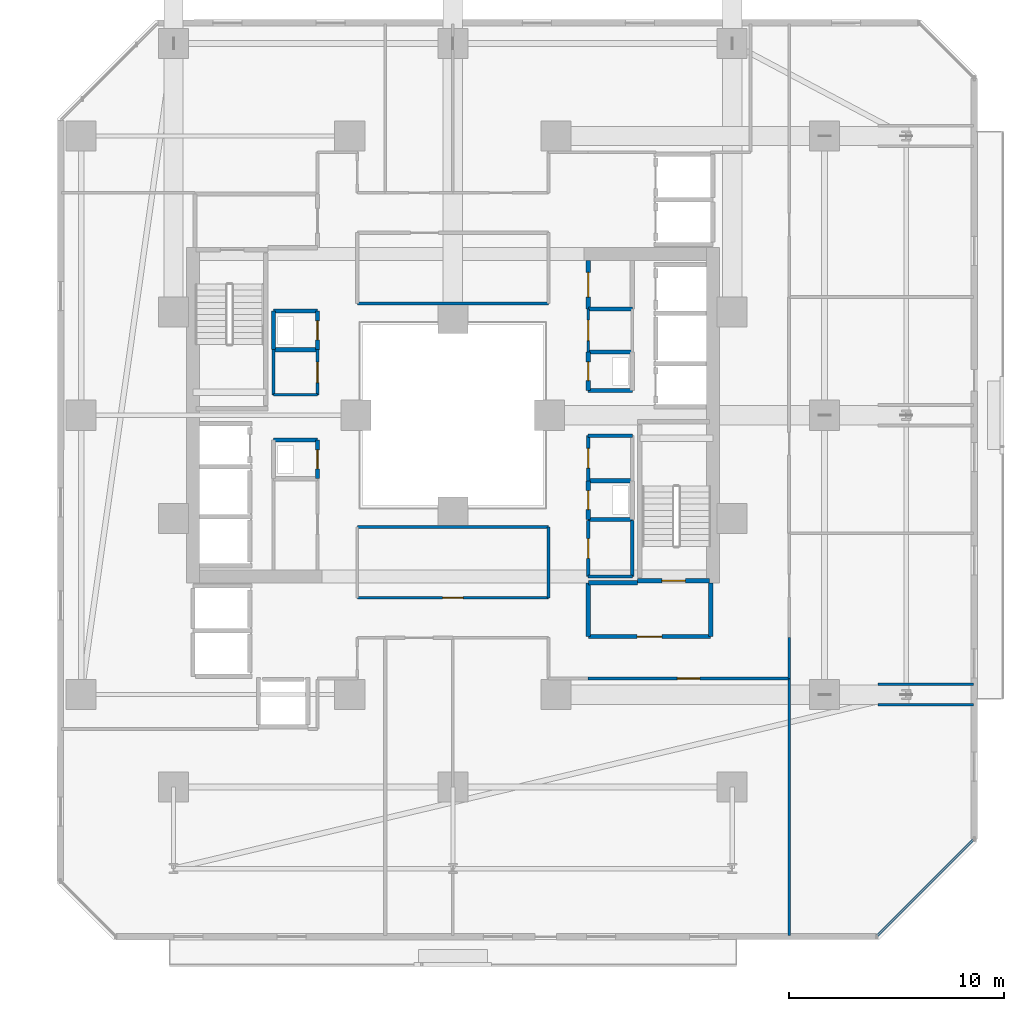
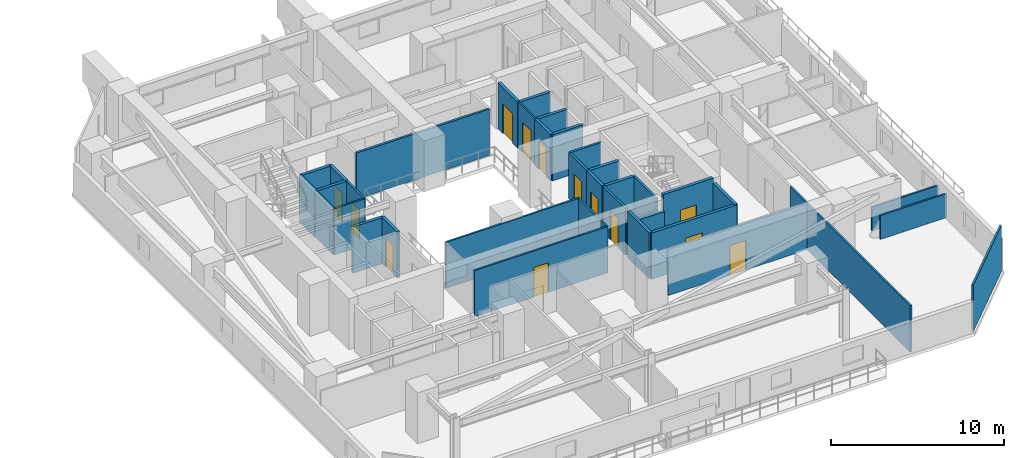
# One storey, part 26 of 36: 38 walls, 13 doors, 13 openings.
"""IFC4 building model written with IfcOpenShell, lengths in metres."""

import ifcopenshell
import ifcopenshell.guid

model = None  # the IFC model being written
_history = None  # IfcOwnerHistory: only IFC2X3 demands one
_inside = {}  # id of a spatial element -> (the spatial element, [elements in it])
_under = {}  # id of a project, library or spatial element -> (it, [spatial elements below it])
_declared = {}  # id of a project -> (the project, [libraries it declares])
_typed = {}  # id of a type object -> (the type object, [elements of that type])
_made_of = {}  # id of a material, layer set ... -> (it, [elements and type objects made of it])


def new_model(schema):
    """Start an empty IFC model of exactly this schema.

    Asked for "IFC4X3", IfcOpenShell would pick the latest addendum, in which some entities
    have other attributes; the version numbers below select the first issue.
    IFC2X3 requires an IfcOwnerHistory on every rooted entity: one is made here for all.
    """
    global model, _history
    if schema == "IFC4X3":
        model = ifcopenshell.file(schema_version=(4, 3, 0, 0))
    else:
        model = ifcopenshell.file(schema=schema)
    _inside.clear()
    _under.clear()
    _declared.clear()
    _typed.clear()
    _made_of.clear()
    _history = None
    if model.schema == "IFC2X3":
        org = make("IfcOrganization", Name="unknown")
        user = make(
            "IfcPersonAndOrganization",
            ThePerson=make("IfcPerson", FamilyName="unknown"),
            TheOrganization=org,
        )
        app = make(
            "IfcApplication",
            ApplicationDeveloper=org,
            Version="unknown",
            ApplicationFullName="unknown",
            ApplicationIdentifier="unknown",
        )
        _history = make(
            "IfcOwnerHistory",
            OwningUser=user,
            OwningApplication=app,
            ChangeAction="ADDED",
            CreationDate=0,
        )
    return model


def make(cls, **values):
    """One entity of the class cls with the attributes given. An attribute that is None is left unset."""
    return model.create_entity(
        cls, **{name: value for name, value in values.items() if value is not None}
    )


def rooted(cls, **values):
    """An entity with a GlobalId (a new one), such as an element, a storey or a relation."""
    return make(cls, GlobalId=ifcopenshell.guid.new(), OwnerHistory=_history, **values)


def si_unit(unit_type, name, prefix=None):
    """IfcSIUnit, for example si_unit("LENGTHUNIT", "METRE", prefix="MILLI")."""
    return make("IfcSIUnit", UnitType=unit_type, Prefix=prefix, Name=name)


def assignment(units):
    """IfcUnitAssignment: the units of a project."""
    return None if units is None else make("IfcUnitAssignment", Units=units)


def point(xyz):
    """IfcCartesianPoint."""
    return None if xyz is None else make("IfcCartesianPoint", Coordinates=xyz)


def direction(xyz):
    """IfcDirection."""
    return None if xyz is None else make("IfcDirection", DirectionRatios=xyz)


def frame(location, z_axis=None, x_axis=None):
    """IfcAxis2Placement3D, a coordinate frame: its origin and axes. An axis left out is left unset."""
    return make(
        "IfcAxis2Placement3D",
        Location=point(location),
        Axis=direction(z_axis),
        RefDirection=direction(x_axis),
    )


def frame_2d(location, x_axis=None):
    """IfcAxis2Placement2D, a coordinate frame in the plane: its origin and x axis."""
    return make(
        "IfcAxis2Placement2D", Location=point(location), RefDirection=direction(x_axis)
    )


def origin():
    """The frame at (0, 0, 0) with its axes left unset."""
    return frame((0.0, 0.0, 0.0))


def place(relative_to, where):
    """IfcLocalPlacement: puts the frame where relative to a parent placement (None: the world)."""
    return make(
        "IfcLocalPlacement", PlacementRelTo=relative_to, RelativePlacement=where
    )


def context(
    kind, dimensions, precision=None, world=None, true_north=None, identifier=None
):
    """IfcGeometricRepresentationContext, for example the 3D "Model" context."""
    return make(
        "IfcGeometricRepresentationContext",
        ContextIdentifier=identifier,
        ContextType=kind,
        CoordinateSpaceDimension=dimensions,
        Precision=precision,
        WorldCoordinateSystem=world,
        TrueNorth=true_north,
    )


def subcontext(parent, identifier, kind, view, scale=None):
    """IfcGeometricRepresentationSubContext, for example "Body" below "Model"."""
    return make(
        "IfcGeometricRepresentationSubContext",
        ContextIdentifier=identifier,
        ContextType=kind,
        ParentContext=parent,
        TargetScale=scale,
        TargetView=view,
    )


def project(units=None, contexts=None):
    """IfcProject with its units and contexts."""
    return rooted(
        "IfcProject",
        Name="project",
        RepresentationContexts=contexts,
        UnitsInContext=assignment(units),
    )


def spatial(cls, under=None, at=None, **own):
    """A site, building, storey or space (cls), placed at a placement, below another one or the project."""
    s = rooted(cls, ObjectPlacement=at, **own)
    if under is not None:
        _under.setdefault(under.id(), (under, []))[1].append(s)
    return s


def profile(cls, at=None, kind="AREA", **sizes):
    """A parametric profile (cls). Its sizes go by their IFC names, for example OverallWidth=200.0."""
    return make(cls, ProfileType=kind, Position=at, **sizes)


def rectangle(**sizes):
    """IfcRectangleProfileDef."""
    return profile("IfcRectangleProfileDef", **sizes)


def extrude(swept, where, along, depth):
    """IfcExtrudedAreaSolid: the profile swept, set in the frame where, extruded along a direction by depth."""
    return make(
        "IfcExtrudedAreaSolid",
        SweptArea=swept,
        Position=where,
        ExtrudedDirection=direction(along),
        Depth=depth,
    )


def shape(context_of_items, identifier, shape_type, items):
    """IfcShapeRepresentation: the items that make up one representation, for example the "Body"."""
    return make(
        "IfcShapeRepresentation",
        ContextOfItems=context_of_items,
        RepresentationIdentifier=identifier,
        RepresentationType=shape_type,
        Items=items,
    )


def material(Name=None, Category=None):
    """IfcMaterial."""
    return make("IfcMaterial", Name=Name, Category=Category)


def layer(
    of_material, thickness, ventilated=None, Name=None, Category=None, Priority=None
):
    """IfcMaterialLayer: one layer of a wall or slab, of a material (None: an air gap)."""
    return make(
        "IfcMaterialLayer",
        Material=of_material,
        LayerThickness=thickness,
        IsVentilated=ventilated,
        Name=Name,
        Category=Category,
        Priority=Priority,
    )


def layer_set(layers, Name=None):
    """IfcMaterialLayerSet."""
    return make("IfcMaterialLayerSet", MaterialLayers=layers, LayerSetName=Name)


def made_of(thing, what):
    """Note that an element or type object is made of a material, layer set ...; save() writes the relation."""
    if what is not None:
        _made_of.setdefault(what.id(), (what, []))[1].append(thing)
    return thing


def type_object(cls, material=None, **own):
    """A type object (cls), such as IfcWallType, which elements share."""
    return made_of(rooted(cls, **own), material)


def element(
    cls,
    number,
    at=None,
    inside=None,
    cuts=None,
    type_object=None,
    material=None,
    context=None,
    identifier="Body",
    shape_type=None,
    held_by="IfcProductDefinitionShape",
    body=None,
    shapes=None,
    **own,
):
    """One element of the class cls, such as IfcWall. Its Tag is "e" and its number.

    at: its placement. inside: the storey or other place that contains it. cuts: it is an
    opening in that element (IfcRelVoidsElement). A single representation is given by context,
    identifier, shape_type and body (its items); several are given by shapes. held_by: the class
    of the entity that holds the representations. save() writes the other relations.
    """
    e = rooted(cls, Tag="e%d" % number, ObjectPlacement=at, **own)
    if body is not None:
        shapes = [shape(context, identifier, shape_type, body)]
    if shapes is not None:
        e.Representation = make(held_by, Representations=shapes)
    if inside is not None:
        _inside.setdefault(inside.id(), (inside, []))[1].append(e)
    if cuts is not None:
        rooted(
            "IfcRelVoidsElement", RelatingBuildingElement=cuts, RelatedOpeningElement=e
        )
    if type_object is not None:
        _typed.setdefault(type_object.id(), (type_object, []))[1].append(e)
    return made_of(e, material)


def fill(opening, filler):
    """IfcRelFillsElement: the door or window that sits in an opening."""
    return rooted(
        "IfcRelFillsElement",
        RelatingOpeningElement=opening,
        RelatedBuildingElement=filler,
    )


def aggregate(whole, parts):
    """IfcRelAggregates: a whole, such as a stair, and the parts it consists of."""
    return rooted("IfcRelAggregates", RelatingObject=whole, RelatedObjects=parts)


def save(model, path):
    """Write the relations noted so far, then the file.

    IfcRelAggregates (storeys below a building ...), IfcRelContainedInSpatialStructure (elements
    in a storey), IfcRelDefinesByType, IfcRelAssociatesMaterial and IfcRelDeclares: one each for
    every whole, place, type object, material and project.
    """
    for whole, parts in _under.values():
        aggregate(whole, parts)
    for where, things in _inside.values():
        rooted(
            "IfcRelContainedInSpatialStructure",
            RelatedElements=things,
            RelatingStructure=where,
        )
    for kind, things in _typed.values():
        rooted("IfcRelDefinesByType", RelatedObjects=things, RelatingType=kind)
    for what, things in _made_of.values():
        rooted("IfcRelAssociatesMaterial", RelatedObjects=things, RelatingMaterial=what)
    for by, libraries in _declared.values():
        rooted("IfcRelDeclares", RelatingContext=by, RelatedDefinitions=libraries)
    model.write(path)


model = new_model("IFC4")

# Units and contexts
model_context = context("Model", 3, precision=1e-05, world=origin(), true_north=direction((0.0, 1.0)))
body_context = subcontext(model_context, "Body", "Model", "MODEL_VIEW")
ifc_project = project(units=[si_unit("LENGTHUNIT", "METRE"), si_unit("AREAUNIT", "SQUARE_METRE"), si_unit("VOLUMEUNIT", "CUBIC_METRE"), si_unit("PLANEANGLEUNIT", "RADIAN"), si_unit("MASSUNIT", "GRAM", prefix="KILO")], contexts=[model_context])

# Site, building, storey
site_placement = place(None, origin())
site = spatial("IfcSite", under=ifc_project, at=site_placement, CompositionType="ELEMENT")
building_placement = place(site_placement, origin())
building = spatial("IfcBuilding", under=site, at=building_placement, Name="Thornwick Lancets Civic Towers", CompositionType="ELEMENT")
storey_placement = place(building_placement, frame((0.0, 0.0, 45.89990234375)))
storey = spatial("IfcBuildingStorey", under=building, at=storey_placement, Name="L11", CompositionType="ELEMENT", Elevation=45.89990234375)

# Wall, opening, door
ifc_material_1 = material(Name="Concrete blockwork C40/50", Category="masonry")
ifc_layer_1 = layer(ifc_material_1, 0.199951171875, Name="Concrete blockwork C40/50")
ifc_layer_set_1 = layer_set([ifc_layer_1], Name="Concrete blockwork C40/50")
wall_type_1 = type_object("IfcWallType", Name="WALL_COMP_200", PredefinedType="STANDARD", material=ifc_layer_set_1)
wall_1_placement = place(storey_placement, frame((94.800048828125, 16.699951171875, 0.0), z_axis=(0.0, 0.0, 1.0), x_axis=(1.0, 0.0, 0.0)))
wall_1 = element("IfcWall", 1, at=wall_1_placement, inside=storey, type_object=wall_type_1, Name="L11 Partition L11-B-FFLOB1 E1", PredefinedType="STANDARD", context=body_context, shape_type="SweptSolid", body=[
    extrude(rectangle(XDim=5.699951171875, YDim=0.199951171875, at=frame_2d((2.85009765625, 0.0))), origin(), (0.0, 0.0, 1.0), 3.260009765625),
])
opening_1_placement = place(wall_1_placement, frame((2.27490234375, 0.0, 0.0)))
opening_1 = element("IfcOpeningElement", 2, at=opening_1_placement, cuts=wall_1, Name="Opening D-L11-0549", PredefinedType="OPENING", context=body_context, shape_type="SweptSolid", body=[
    extrude(rectangle(XDim=1.14990234375, YDim=2.10009765625, at=frame_2d((0.574951171875, 1.050048828125))), frame((0.0, 0.10986328125, 0.0), z_axis=(0.0, -1.0, 0.0), x_axis=(1.0, 0.0, 0.0)), (0.0, 0.0, 1.0), 0.219970703125),
])
ifc_material_2 = material(Name="Glazed fire-resisting steel", Category="steel")
door_type_1 = type_object("IfcDoorType", Name="DOOR_LOBBY_FD60", OperationType="NOTDEFINED", PredefinedType="DOOR", material=ifc_material_2)
door_1_placement = place(opening_1_placement, origin())
door_1 = element("IfcDoor", 3, at=door_1_placement, inside=storey, type_object=door_type_1, Name="L11 East Firefighting Lobby 1 Door", OperationType="SINGLE_SWING_RIGHT", OverallHeight=2.10009765625, OverallWidth=1.14990234375, PredefinedType="DOOR", context=body_context, shape_type="SweptSolid", body=[
    extrude(rectangle(XDim=1.14990234375, YDim=2.10009765625, at=frame_2d((0.574951171875, 1.050048828125))), frame((0.0, 0.02490234375, 0.0), z_axis=(0.0, -1.0, 0.0), x_axis=(1.0, 0.0, 0.0)), (0.0, 0.0, 1.0), 0.050048828125),
])
fill(opening_1, door_1)

# Walls
wall_2_placement = place(storey_placement, frame((100.5, 16.699951171875, 0.0), z_axis=(0.0, 0.0, 1.0), x_axis=(0.0, 1.0, 0.0)))
element("IfcWall", 4, at=wall_2_placement, inside=storey, type_object=wall_type_1, Name="L11 Partition L11-B-FFLOB1 E2", PredefinedType="STANDARD", context=body_context, shape_type="SweptSolid", body=[
    extrude(rectangle(XDim=2.5, YDim=0.199951171875, at=frame_2d((1.25, 0.0))), origin(), (0.0, 0.0, 1.0), 3.260009765625),
])
wall_3_placement = place(storey_placement, frame((97.10009765625, 19.199951171875, 0.0), z_axis=(0.0, 0.0, 1.0), x_axis=(-1.0, 0.0, 0.0)))
element("IfcWall", 5, at=wall_3_placement, inside=storey, type_object=wall_type_1, Name="L11 Partition L11-B-FFLOB1 E3", PredefinedType="STANDARD", context=body_context, shape_type="SweptSolid", body=[
    extrude(rectangle(XDim=2.300048828125, YDim=0.199951171875, at=frame_2d((1.14990234375, 0.0))), origin(), (0.0, 0.0, 1.0), 2.465087890625),
])
wall_4_placement = place(storey_placement, frame((94.800048828125, 19.199951171875, 0.0), z_axis=(0.0, 0.0, 1.0), x_axis=(0.0, -1.0, 0.0)))
element("IfcWall", 6, at=wall_4_placement, inside=storey, type_object=wall_type_1, Name="L11 Partition L11-B-FFLOB1 E4", PredefinedType="STANDARD", context=body_context, shape_type="SweptSolid", body=[
    extrude(rectangle(XDim=2.5, YDim=0.199951171875, at=frame_2d((1.25, 0.0))), origin(), (0.0, 0.0, 1.0), 3.260009765625),
])
for number, where, z_axis, x_axis, name in (
    (7, (94.800048828125, 28.14990234375, 0.0), (0.0, 0.0, 1.0), (1.0, 0.0, 0.0), "L11 Partition L11-B-DUCT1 E1"),
    (8, (96.85009765625, 29.949951171875, 0.0), (0.0, 0.0, 1.0), (-1.0, 0.0, 0.0), "L11 Partition L11-B-DUCT1 E3"),
):
    element("IfcWall", number, at=place(storey_placement, frame(where, z_axis=z_axis, x_axis=x_axis)), inside=storey, type_object=wall_type_1, Name=name, PredefinedType="STANDARD", context=body_context, shape_type="SweptSolid", body=[
        extrude(rectangle(XDim=2.050048828125, YDim=0.199951171875, at=frame_2d((1.02490234375, 0.0))), origin(), (0.0, 0.0, 1.0), 3.260009765625),
    ])

# Wall, opening, door
wall_5_placement = place(storey_placement, frame((94.800048828125, 29.949951171875, 0.0), z_axis=(0.0, 0.0, 1.0), x_axis=(0.0, -1.0, 0.0)))
wall_5 = element("IfcWall", 9, at=wall_5_placement, inside=storey, type_object=wall_type_1, Name="L11 Partition L11-B-DUCT1 E4", PredefinedType="STANDARD", context=body_context, shape_type="SweptSolid", body=[
    extrude(rectangle(XDim=1.800048828125, YDim=0.199951171875, at=frame_2d((0.89990234375, 0.0))), origin(), (0.0, 0.0, 1.0), 3.260009765625),
])
opening_2_placement = place(wall_5_placement, frame((0.4599609375, 0.0, 0.0)))
opening_2 = element("IfcOpeningElement", 10, at=opening_2_placement, cuts=wall_5, Name="Opening D-L11-0551", PredefinedType="OPENING", context=body_context, shape_type="SweptSolid", body=[
    extrude(rectangle(XDim=0.8798828125, YDim=2.0400390625, at=frame_2d((0.43994140625, 1.02001953125))), frame((0.0, 0.10986328125, 0.0), z_axis=(0.0, -1.0, 0.0), x_axis=(1.0, 0.0, 0.0)), (0.0, 0.0, 1.0), 0.219970703125),
])
ifc_material_3 = material(Name="Steel riser access doorset", Category="steel")
door_type_2 = type_object("IfcDoorType", Name="DOOR_RISER_850", OperationType="NOTDEFINED", PredefinedType="DOOR", material=ifc_material_3)
door_2_placement = place(opening_2_placement, origin())
door_2 = element("IfcDoor", 11, at=door_2_placement, inside=storey, type_object=door_type_2, Name="L11 East Service Duct 1 Door", OperationType="SINGLE_SWING_RIGHT", OverallHeight=2.0400390625, OverallWidth=0.8798828125, PredefinedType="DOOR", context=body_context, shape_type="SweptSolid", body=[
    extrude(rectangle(XDim=0.8798828125, YDim=2.0400390625, at=frame_2d((0.43994140625, 1.02001953125))), frame((0.0, 0.02490234375, 0.0), z_axis=(0.0, -1.0, 0.0), x_axis=(1.0, 0.0, 0.0)), (0.0, 0.0, 1.0), 0.050048828125),
])
fill(opening_2, door_2)

# Walls
for number, where, z_axis, x_axis, name in (
    (12, (94.800048828125, 22.14990234375, 0.0), (0.0, 0.0, 1.0), (1.0, 0.0, 0.0), "L11 Partition L11-B-RISER1 E1"),
    (13, (96.85009765625, 23.949951171875, 0.0), (0.0, 0.0, 1.0), (-1.0, 0.0, 0.0), "L11 Partition L11-B-RISER1 E3"),
):
    element("IfcWall", number, at=place(storey_placement, frame(where, z_axis=z_axis, x_axis=x_axis)), inside=storey, type_object=wall_type_1, Name=name, PredefinedType="STANDARD", context=body_context, shape_type="SweptSolid", body=[
        extrude(rectangle(XDim=2.050048828125, YDim=0.199951171875, at=frame_2d((1.02490234375, 0.0))), origin(), (0.0, 0.0, 1.0), 3.260009765625),
    ])

# Wall, opening, door
wall_6_placement = place(storey_placement, frame((94.800048828125, 23.949951171875, 0.0), z_axis=(0.0, 0.0, 1.0), x_axis=(0.0, -1.0, 0.0)))
wall_6 = element("IfcWall", 14, at=wall_6_placement, inside=storey, type_object=wall_type_1, Name="L11 Partition L11-B-RISER1 E4", PredefinedType="STANDARD", context=body_context, shape_type="SweptSolid", body=[
    extrude(rectangle(XDim=1.800048828125, YDim=0.199951171875, at=frame_2d((0.89990234375, 0.0))), origin(), (0.0, 0.0, 1.0), 3.260009765625),
])
opening_3_placement = place(wall_6_placement, frame((0.4599609375, 0.0, 0.0)))
opening_3 = element("IfcOpeningElement", 15, at=opening_3_placement, cuts=wall_6, Name="Opening D-L11-0552", PredefinedType="OPENING", context=body_context, shape_type="SweptSolid", body=[
    extrude(rectangle(XDim=0.8798828125, YDim=2.0400390625, at=frame_2d((0.43994140625, 1.02001953125))), frame((0.0, 0.10986328125, 0.0), z_axis=(0.0, -1.0, 0.0), x_axis=(1.0, 0.0, 0.0)), (0.0, 0.0, 1.0), 0.219970703125),
])
door_3_placement = place(opening_3_placement, origin())
door_3 = element("IfcDoor", 16, at=door_3_placement, inside=storey, type_object=door_type_2, Name="L11 East Electrical Riser 1 Door", OperationType="SINGLE_SWING_LEFT", OverallHeight=2.0400390625, OverallWidth=0.8798828125, PredefinedType="DOOR", context=body_context, shape_type="SweptSolid", body=[
    extrude(rectangle(XDim=0.8798828125, YDim=2.0400390625, at=frame_2d((0.43994140625, 1.02001953125))), frame((0.0, 0.02490234375, 0.0), z_axis=(0.0, -1.0, 0.0), x_axis=(1.0, 0.0, 0.0)), (0.0, 0.0, 1.0), 0.050048828125),
])
fill(opening_3, door_3)

wall_7_placement = place(storey_placement, frame((82.199951171875, 24.050048828125, 0.0), z_axis=(0.0, 0.0, 1.0), x_axis=(0.0, 1.0, 0.0)))
wall_7 = element("IfcWall", 17, at=wall_7_placement, inside=storey, type_object=wall_type_1, Name="L11 Partition L11-B-DUCT2 E2", PredefinedType="STANDARD", context=body_context, shape_type="SweptSolid", body=[
    extrude(rectangle(XDim=1.800048828125, YDim=0.199951171875, at=frame_2d((0.89990234375, 0.0))), origin(), (0.0, 0.0, 1.0), 3.260009765625),
])
opening_4_placement = place(wall_7_placement, frame((0.4599609375, 0.0, 0.0)))
opening_4 = element("IfcOpeningElement", 18, at=opening_4_placement, cuts=wall_7, Name="Opening D-L11-0553", PredefinedType="OPENING", context=body_context, shape_type="SweptSolid", body=[
    extrude(rectangle(XDim=0.8798828125, YDim=2.0400390625, at=frame_2d((0.43994140625, 1.02001953125))), frame((0.0, 0.10986328125, 0.0), z_axis=(0.0, -1.0, 0.0), x_axis=(1.0, 0.0, 0.0)), (0.0, 0.0, 1.0), 0.219970703125),
])
door_4_placement = place(opening_4_placement, origin())
door_4 = element("IfcDoor", 19, at=door_4_placement, inside=storey, type_object=door_type_2, Name="L11 West Service Duct 2 Door", OperationType="SINGLE_SWING_RIGHT", OverallHeight=2.0400390625, OverallWidth=0.8798828125, PredefinedType="DOOR", context=body_context, shape_type="SweptSolid", body=[
    extrude(rectangle(XDim=0.8798828125, YDim=2.0400390625, at=frame_2d((0.43994140625, 1.02001953125))), frame((0.0, 0.02490234375, 0.0), z_axis=(0.0, -1.0, 0.0), x_axis=(1.0, 0.0, 0.0)), (0.0, 0.0, 1.0), 0.050048828125),
])
fill(opening_4, door_4)

# Walls
for number, where, z_axis, x_axis, name in (
    (20, (82.199951171875, 25.85009765625, 0.0), (0.0, 0.0, 1.0), (-1.0, 0.0, 0.0), "L11 Partition L11-B-DUCT2 E3"),
    (21, (80.14990234375, 30.050048828125, 0.0), (0.0, 0.0, 1.0), (1.0, 0.0, 0.0), "L11 Partition L11-B-RISER2 E1"),
):
    element("IfcWall", number, at=place(storey_placement, frame(where, z_axis=z_axis, x_axis=x_axis)), inside=storey, type_object=wall_type_1, Name=name, PredefinedType="STANDARD", context=body_context, shape_type="SweptSolid", body=[
        extrude(rectangle(XDim=2.050048828125, YDim=0.199951171875, at=frame_2d((1.02490234375, 0.0))), origin(), (0.0, 0.0, 1.0), 3.260009765625),
    ])

# Wall, opening, door
wall_8_placement = place(storey_placement, frame((82.199951171875, 30.050048828125, 0.0), z_axis=(0.0, 0.0, 1.0), x_axis=(0.0, 1.0, 0.0)))
wall_8 = element("IfcWall", 22, at=wall_8_placement, inside=storey, type_object=wall_type_1, Name="L11 Partition L11-B-RISER2 E2", PredefinedType="STANDARD", context=body_context, shape_type="SweptSolid", body=[
    extrude(rectangle(XDim=1.800048828125, YDim=0.199951171875, at=frame_2d((0.89990234375, 0.0))), origin(), (0.0, 0.0, 1.0), 3.260009765625),
])
opening_5_placement = place(wall_8_placement, frame((0.4599609375, 0.0, 0.0)))
opening_5 = element("IfcOpeningElement", 23, at=opening_5_placement, cuts=wall_8, Name="Opening D-L11-0554", PredefinedType="OPENING", context=body_context, shape_type="SweptSolid", body=[
    extrude(rectangle(XDim=0.8798828125, YDim=2.0400390625, at=frame_2d((0.43994140625, 1.02001953125))), frame((0.0, 0.10986328125, 0.0), z_axis=(0.0, -1.0, 0.0), x_axis=(1.0, 0.0, 0.0)), (0.0, 0.0, 1.0), 0.219970703125),
])
door_5_placement = place(opening_5_placement, origin())
door_5 = element("IfcDoor", 24, at=door_5_placement, inside=storey, type_object=door_type_2, Name="L11 West Service Riser 2 Door", OperationType="SINGLE_SWING_LEFT", OverallHeight=2.0400390625, OverallWidth=0.8798828125, PredefinedType="DOOR", context=body_context, shape_type="SweptSolid", body=[
    extrude(rectangle(XDim=0.8798828125, YDim=2.0400390625, at=frame_2d((0.43994140625, 1.02001953125))), frame((0.0, 0.02490234375, 0.0), z_axis=(0.0, -1.0, 0.0), x_axis=(1.0, 0.0, 0.0)), (0.0, 0.0, 1.0), 0.050048828125),
])
fill(opening_5, door_5)

# Walls
wall_9_placement = place(storey_placement, frame((82.199951171875, 31.85009765625, 0.0), z_axis=(0.0, 0.0, 1.0), x_axis=(-1.0, 0.0, 0.0)))
element("IfcWall", 25, at=wall_9_placement, inside=storey, type_object=wall_type_1, Name="L11 Partition L11-B-RISER2 E3", PredefinedType="STANDARD", context=body_context, shape_type="SweptSolid", body=[
    extrude(rectangle(XDim=2.050048828125, YDim=0.199951171875, at=frame_2d((1.02490234375, 0.0))), origin(), (0.0, 0.0, 1.0), 3.260009765625),
])
wall_10_placement = place(storey_placement, frame((80.14990234375, 31.85009765625, 0.0), z_axis=(0.0, 0.0, 1.0), x_axis=(0.0, -1.0, 0.0)))
element("IfcWall", 26, at=wall_10_placement, inside=storey, type_object=wall_type_1, Name="L11 Partition L11-B-RISER2 E4", PredefinedType="STANDARD", context=body_context, shape_type="SweptSolid", body=[
    extrude(rectangle(XDim=1.800048828125, YDim=0.199951171875, at=frame_2d((0.89990234375, 0.0))), origin(), (0.0, 0.0, 1.0), 3.260009765625),
])

# Wall, opening, door
wall_11_placement = place(storey_placement, frame((94.800048828125, 31.949951171875, 0.0), z_axis=(0.0, 0.0, 1.0), x_axis=(0.0, 1.0, 0.0)))
wall_11 = element("IfcWall", 27, at=wall_11_placement, inside=storey, type_object=wall_type_1, Name="L11 Partition L11-B-ITR2 E1", PredefinedType="STANDARD", context=body_context, shape_type="SweptSolid", body=[
    extrude(rectangle(XDim=2.25, YDim=0.199951171875, at=frame_2d((1.125, 0.0))), origin(), (0.0, 0.0, 1.0), 3.260009765625),
])
opening_6_placement = place(wall_11_placement, frame((0.550048828125, 0.0, 0.0)))
opening_6 = element("IfcOpeningElement", 28, at=opening_6_placement, cuts=wall_11, Name="Opening D-L11-0558", PredefinedType="OPENING", context=body_context, shape_type="SweptSolid", body=[
    extrude(rectangle(XDim=1.14990234375, YDim=2.10009765625, at=frame_2d((0.574951171875, 1.050048828125))), frame((0.0, 0.10986328125, 0.0), z_axis=(0.0, -1.0, 0.0), x_axis=(1.0, 0.0, 0.0)), (0.0, 0.0, 1.0), 0.219970703125),
])
door_6_placement = place(opening_6_placement, origin())
door_6 = element("IfcDoor", 29, at=door_6_placement, inside=storey, type_object=door_type_1, Name="L11 Tower B Statutory Core Archive Door", OperationType="SINGLE_SWING_LEFT", OverallHeight=2.10009765625, OverallWidth=1.14990234375, PredefinedType="DOOR", context=body_context, shape_type="SweptSolid", body=[
    extrude(rectangle(XDim=1.14990234375, YDim=2.10009765625, at=frame_2d((0.574951171875, 1.050048828125))), frame((0.0, 0.02490234375, 0.0), z_axis=(0.0, -1.0, 0.0), x_axis=(1.0, 0.0, 0.0)), (0.0, 0.0, 1.0), 0.050048828125),
])
fill(opening_6, door_6)

# Wall
wall_12_placement = place(storey_placement, frame((96.85009765625, 31.949951171875, 0.0), z_axis=(0.0, 0.0, 1.0), x_axis=(-1.0, 0.0, 0.0)))
element("IfcWall", 30, at=wall_12_placement, inside=storey, type_object=wall_type_1, Name="L11 Partition L11-B-ITR2 E4", PredefinedType="STANDARD", context=body_context, shape_type="SweptSolid", body=[
    extrude(rectangle(XDim=2.050048828125, YDim=0.199951171875, at=frame_2d((1.02490234375, 0.0))), origin(), (0.0, 0.0, 1.0), 3.260009765625),
])

# Wall, opening, door
ifc_material_4 = material(Name="Lightweight cellular office partition")
ifc_layer_2 = layer(ifc_material_4, 0.10009765625, Name="Lightweight cellular office partition")
ifc_layer_set_2 = layer_set([ifc_layer_2], Name="Lightweight cellular office partition")
wall_type_2 = type_object("IfcWallType", Name="WALL_PART_100", PredefinedType="PARTITIONING", material=ifc_layer_set_2)
wall_13_placement = place(storey_placement, frame((94.800048828125, 29.949951171875, 0.0), z_axis=(0.0, 0.0, 1.0), x_axis=(0.0, 1.0, 0.0)))
wall_13 = element("IfcWall", 31, at=wall_13_placement, inside=storey, type_object=wall_type_2, Name="L11 Partition L11-B-CLN E1", PredefinedType="PARTITIONING", context=body_context, shape_type="SweptSolid", body=[
    extrude(rectangle(XDim=2.0, YDim=0.10009765625, at=frame_2d((1.0, 0.0))), origin(), (0.0, 0.0, 1.0), 3.260009765625),
])
opening_7_placement = place(wall_13_placement, frame((0.52490234375, 0.0, 0.0)))
opening_7 = element("IfcOpeningElement", 32, at=opening_7_placement, cuts=wall_13, Name="Opening D-L11-0557", PredefinedType="OPENING", context=body_context, shape_type="SweptSolid", body=[
    extrude(rectangle(XDim=0.949951171875, YDim=2.10009765625, at=frame_2d((0.47509765625, 1.050048828125))), frame((0.0, 0.06005859375, 0.0), z_axis=(0.0, -1.0, 0.0), x_axis=(1.0, 0.0, 0.0)), (0.0, 0.0, 1.0), 0.1201171875),
])
ifc_material_5 = material(Name="European oak acoustic doorset")
door_type_3 = type_object("IfcDoorType", Name="DOOR_OFFICE_950", OperationType="NOTDEFINED", PredefinedType="DOOR", material=ifc_material_5)
door_7_placement = place(opening_7_placement, origin())
door_7 = element("IfcDoor", 33, at=door_7_placement, inside=storey, type_object=door_type_3, Name="L11 Tower B Cleaners Store Door", OperationType="SINGLE_SWING_RIGHT", OverallHeight=2.10009765625, OverallWidth=0.949951171875, PredefinedType="DOOR", context=body_context, shape_type="SweptSolid", body=[
    extrude(rectangle(XDim=0.949951171875, YDim=2.10009765625, at=frame_2d((0.47509765625, 1.050048828125))), frame((0.0, 0.02490234375, 0.0), z_axis=(0.0, -1.0, 0.0), x_axis=(1.0, 0.0, 0.0)), (0.0, 0.0, 1.0), 0.050048828125),
])
fill(opening_7, door_7)

# Walls
ifc_material_6 = material(Name="Acoustic gypsum board partition")
ifc_layer_3 = layer(ifc_material_6, 0.1201171875, Name="Acoustic gypsum board partition")
ifc_layer_set_3 = layer_set([ifc_layer_3], Name="Acoustic gypsum board partition")
wall_type_3 = type_object("IfcWallType", Name="WALL_PART_120", PredefinedType="PARTITIONING", material=ifc_layer_set_3)
wall_14_placement = place(storey_placement, frame((82.199951171875, 27.949951171875, 0.0), z_axis=(0.0, 0.0, 1.0), x_axis=(-1.0, 0.0, 0.0)))
element("IfcWall", 34, at=wall_14_placement, inside=storey, type_object=wall_type_3, Name="L11 Partition L11-B-ITR E1", PredefinedType="PARTITIONING", context=body_context, shape_type="SweptSolid", body=[
    extrude(rectangle(XDim=2.050048828125, YDim=0.1201171875, at=frame_2d((1.02490234375, 0.0))), origin(), (0.0, 0.0, 1.0), 3.260009765625),
])
wall_15_placement = place(storey_placement, frame((80.14990234375, 27.949951171875, 0.0), z_axis=(0.0, 0.0, 1.0), x_axis=(0.0, 1.0, 0.0)))
element("IfcWall", 35, at=wall_15_placement, inside=storey, type_object=wall_type_3, Name="L11 Partition L11-B-ITR E2", PredefinedType="PARTITIONING", context=body_context, shape_type="SweptSolid", body=[
    extrude(rectangle(XDim=2.10009765625, YDim=0.1201171875, at=frame_2d((1.050048828125, 0.0))), origin(), (0.0, 0.0, 1.0), 3.260009765625),
])

# Wall, opening, door
wall_16_placement = place(storey_placement, frame((82.199951171875, 30.050048828125, 0.0), z_axis=(0.0, 0.0, 1.0), x_axis=(0.0, -1.0, 0.0)))
wall_16 = element("IfcWall", 36, at=wall_16_placement, inside=storey, type_object=wall_type_3, Name="L11 Partition L11-B-ITR E4", PredefinedType="PARTITIONING", context=body_context, shape_type="SweptSolid", body=[
    extrude(rectangle(XDim=2.10009765625, YDim=0.1201171875, at=frame_2d((1.050048828125, 0.0))), origin(), (0.0, 0.0, 1.0), 3.260009765625),
])
opening_8_placement = place(wall_16_placement, frame((0.574951171875, 0.0, 0.0)))
opening_8 = element("IfcOpeningElement", 37, at=opening_8_placement, cuts=wall_16, Name="Opening D-L11-0560", PredefinedType="OPENING", context=body_context, shape_type="SweptSolid", body=[
    extrude(rectangle(XDim=0.949951171875, YDim=2.10009765625, at=frame_2d((0.47509765625, 1.050048828125))), frame((0.0, 0.070068359375, 0.0), z_axis=(0.0, -1.0, 0.0), x_axis=(1.0, 0.0, 0.0)), (0.0, 0.0, 1.0), 0.14013671875),
])
door_8_placement = place(opening_8_placement, origin())
door_8 = element("IfcDoor", 38, at=door_8_placement, inside=storey, type_object=door_type_3, Name="L11 Tower B Comms Patch Room Door", OperationType="SINGLE_SWING_LEFT", OverallHeight=2.10009765625, OverallWidth=0.949951171875, PredefinedType="DOOR", context=body_context, shape_type="SweptSolid", body=[
    extrude(rectangle(XDim=0.949951171875, YDim=2.10009765625, at=frame_2d((0.47509765625, 1.050048828125))), frame((0.0, 0.02490234375, 0.0), z_axis=(0.0, -1.0, 0.0), x_axis=(1.0, 0.0, 0.0)), (0.0, 0.0, 1.0), 0.050048828125),
])
fill(opening_8, door_8)

wall_17_placement = place(storey_placement, frame((94.800048828125, 14.75, 0.0), z_axis=(0.0, 0.0, 1.0), x_axis=(1.0, 0.0, 0.0)))
wall_17 = element("IfcWall", 39, at=wall_17_placement, inside=storey, type_object=wall_type_3, Name="L11 Partition L11-B-W1 E3", PredefinedType="PARTITIONING", context=body_context, shape_type="SweptSolid", body=[
    extrude(rectangle(XDim=9.349853515625, YDim=0.1201171875, at=frame_2d((4.6748046875, 0.0))), origin(), (0.0, 0.0, 1.0), 3.260009765625),
])
opening_9_placement = place(wall_17_placement, frame((4.14990234375, 0.0, 0.0)))
opening_9 = element("IfcOpeningElement", 40, at=opening_9_placement, cuts=wall_17, Name="Opening D-L11-0572", PredefinedType="OPENING", context=body_context, shape_type="SweptSolid", body=[
    extrude(rectangle(XDim=1.050048828125, YDim=2.10009765625, at=frame_2d((0.52490234375, 1.050048828125))), frame((0.0, 0.070068359375, 0.0), z_axis=(0.0, -1.0, 0.0), x_axis=(1.0, 0.0, 0.0)), (0.0, 0.0, 1.0), 0.14013671875),
])
ifc_material_7 = material(Name="Glazed European oak executive doorset")
door_type_4 = type_object("IfcDoorType", Name="DOOR_OFFICE_1050", OperationType="NOTDEFINED", PredefinedType="DOOR", material=ifc_material_7)
door_9_placement = place(opening_9_placement, origin())
door_9 = element("IfcDoor", 41, at=door_9_placement, inside=storey, type_object=door_type_4, Name="L11 Tower B Ministry Directorate Office W1 Door", OperationType="SINGLE_SWING_LEFT", OverallHeight=2.10009765625, OverallWidth=1.050048828125, PredefinedType="DOOR", context=body_context, shape_type="SweptSolid", body=[
    extrude(rectangle(XDim=1.050048828125, YDim=2.10009765625, at=frame_2d((0.52490234375, 1.050048828125))), frame((0.0, 0.02490234375, 0.0), z_axis=(0.0, -1.0, 0.0), x_axis=(1.0, 0.0, 0.0)), (0.0, 0.0, 1.0), 0.050048828125),
])
fill(opening_9, door_9)

# Walls
wall_18_placement = place(storey_placement, frame((104.14990234375, 14.75, 0.0), z_axis=(0.0, 0.0, 1.0), x_axis=(0.0, -1.0, 0.0)))
element("IfcWall", 42, at=wall_18_placement, inside=storey, type_object=wall_type_3, Name="L11 Partition L11-B-W1 E4", PredefinedType="PARTITIONING", context=body_context, shape_type="SweptSolid", body=[
    extrude(rectangle(XDim=11.969970703125, YDim=0.1201171875, at=frame_2d((5.98486328125, 0.0))), origin(), (0.0, 0.0, 1.0), 3.260009765625),
])
wall_19_placement = place(storey_placement, frame((84.050048828125, 21.800048828125, 0.0), z_axis=(0.0, 0.0, 1.0), x_axis=(1.0, 0.0, 0.0)))
element("IfcWall", 43, at=wall_19_placement, inside=storey, type_object=wall_type_3, Name="L11 Partition L11-B-ATR-W E2", PredefinedType="PARTITIONING", context=body_context, shape_type="SweptSolid", body=[
    extrude(rectangle(XDim=8.89990234375, YDim=0.1201171875, at=frame_2d((4.449951171875, 0.0))), origin(), (0.0, 0.0, 1.0), 3.260009765625),
])
wall_20_placement = place(storey_placement, frame((92.949951171875, 21.800048828125, 0.0), z_axis=(0.0, 0.0, 1.0), x_axis=(0.0, -1.0, 0.0)))
element("IfcWall", 44, at=wall_20_placement, inside=storey, type_object=wall_type_3, Name="L11 Partition L11-B-ATR-W E3", PredefinedType="PARTITIONING", context=body_context, shape_type="SweptSolid", body=[
    extrude(rectangle(XDim=3.300048828125, YDim=0.1201171875, at=frame_2d((1.64990234375, 0.0))), origin(), (0.0, 0.0, 1.0), 3.260009765625),
])

# Wall, opening, door
wall_21_placement = place(storey_placement, frame((92.949951171875, 18.5, 0.0), z_axis=(0.0, 0.0, 1.0), x_axis=(-1.0, 0.0, 0.0)))
wall_21 = element("IfcWall", 45, at=wall_21_placement, inside=storey, type_object=wall_type_3, Name="L11 Partition L11-B-ATR-W E4", PredefinedType="PARTITIONING", context=body_context, shape_type="SweptSolid", body=[
    extrude(rectangle(XDim=8.89990234375, YDim=0.1201171875, at=frame_2d((4.449951171875, 0.0))), origin(), (0.0, 0.0, 1.0), 3.260009765625),
])
opening_10_placement = place(wall_21_placement, frame((3.97509765625, 0.0, 0.0)))
opening_10 = element("IfcOpeningElement", 46, at=opening_10_placement, cuts=wall_21, Name="Opening D-L11-0579", PredefinedType="OPENING", context=body_context, shape_type="SweptSolid", body=[
    extrude(rectangle(XDim=0.949951171875, YDim=2.10009765625, at=frame_2d((0.47509765625, 1.050048828125))), frame((0.0, 0.070068359375, 0.0), z_axis=(0.0, -1.0, 0.0), x_axis=(1.0, 0.0, 0.0)), (0.0, 0.0, 1.0), 0.14013671875),
])
door_10_placement = place(opening_10_placement, origin())
door_10 = element("IfcDoor", 47, at=door_10_placement, inside=storey, type_object=door_type_3, Name="L11 Tower B West Atrium Study Lounge Door", OperationType="SINGLE_SWING_RIGHT", OverallHeight=2.10009765625, OverallWidth=0.949951171875, PredefinedType="DOOR", context=body_context, shape_type="SweptSolid", body=[
    extrude(rectangle(XDim=0.949951171875, YDim=2.10009765625, at=frame_2d((0.47509765625, 1.050048828125))), frame((0.0, 0.02490234375, 0.0), z_axis=(0.0, -1.0, 0.0), x_axis=(1.0, 0.0, 0.0)), (0.0, 0.0, 1.0), 0.050048828125),
])
fill(opening_10, door_10)

# Walls
wall_22_placement = place(storey_placement, frame((104.14990234375, 14.75, 0.0), z_axis=(0.0, 0.0, 1.0), x_axis=(0.0, 1.0, 0.0)))
element("IfcWall", 48, at=wall_22_placement, inside=storey, type_object=wall_type_3, Name="L11 Partition L11-B-S-OFF1 E3", PredefinedType="PARTITIONING", context=body_context, shape_type="SweptSolid", body=[
    extrude(rectangle(XDim=1.89990234375, YDim=0.1201171875, at=frame_2d((0.949951171875, 0.0))), origin(), (0.0, 0.0, 1.0), 3.260009765625),
])
for number, where, z_axis, x_axis, name in (
    (49, (112.719970703125, 14.47998046875, 0.0), (0.0, 0.0, 1.0), (-1.0, 0.0, 0.0), "L11 Partition L11-B-S-OFF1 E7"),
    (50, (108.281494140625, 13.52001953125, 0.0), (0.0, 0.0, 1.0), (1.0, 0.0, 0.0), "L11 Partition L11-B-S-OFF1 E9"),
):
    element("IfcWall", number, at=place(storey_placement, frame(where, z_axis=z_axis, x_axis=x_axis)), inside=storey, type_object=wall_type_3, Name=name, PredefinedType="PARTITIONING", context=body_context, shape_type="SweptSolid", body=[
        extrude(rectangle(XDim=4.4384765625, YDim=0.1201171875, at=frame_2d((2.21923828125, 0.0))), origin(), (0.0, 0.0, 1.0), 1.68505859375),
    ])
wall_23_placement = place(storey_placement, frame((112.719970703125, 7.238525390625, 0.0), z_axis=(0.0, 0.0, 1.0), x_axis=(-0.707106781187, -0.707106781187, 0.0)))
element("IfcWall", 51, at=wall_23_placement, inside=storey, type_object=wall_type_3, Name="L11 Partition L11-B-S-OFF1 E11", PredefinedType="PARTITIONING", context=body_context, shape_type="SweptSolid", body=[
    extrude(rectangle(XDim=6.30517578125, YDim=0.1201171875, at=frame_2d((3.152587890625, 0.0))), origin(), (0.0, 0.0, 1.0), 3.260009765625),
])
ifc_material_8 = material(Name="Twin-stud acoustic gypsum board")
ifc_layer_4 = layer(ifc_material_8, 0.14990234375, Name="Twin-stud acoustic gypsum board")
ifc_layer_set_4 = layer_set([ifc_layer_4], Name="Twin-stud acoustic gypsum board")
wall_type_4 = type_object("IfcWallType", Name="WALL_PART_150", PredefinedType="PARTITIONING", material=ifc_layer_set_4)
wall_24_placement = place(storey_placement, frame((94.800048828125, 19.5, 0.0), z_axis=(0.0, 0.0, 1.0), x_axis=(1.0, 0.0, 0.0)))
element("IfcWall", 52, at=wall_24_placement, inside=storey, type_object=wall_type_4, Name="L11 Partition L11-B-MWC E1", PredefinedType="PARTITIONING", context=body_context, shape_type="SweptSolid", body=[
    extrude(rectangle(XDim=2.050048828125, YDim=0.14990234375, at=frame_2d((1.02490234375, 0.0))), origin(), (0.0, 0.0, 1.0), 2.465087890625),
])
wall_25_placement = place(storey_placement, frame((96.85009765625, 19.5, 0.0), z_axis=(0.0, 0.0, 1.0), x_axis=(0.0, 1.0, 0.0)))
element("IfcWall", 53, at=wall_25_placement, inside=storey, type_object=wall_type_4, Name="L11 Partition L11-B-MWC E2", PredefinedType="PARTITIONING", context=body_context, shape_type="SweptSolid", body=[
    extrude(rectangle(XDim=2.60009765625, YDim=0.14990234375, at=frame_2d((1.300048828125, 0.0))), origin(), (0.0, 0.0, 1.0), 3.260009765625),
])

# Wall, opening, door
wall_26_placement = place(storey_placement, frame((94.800048828125, 22.10009765625, 0.0), z_axis=(0.0, 0.0, 1.0), x_axis=(0.0, -1.0, 0.0)))
wall_26 = element("IfcWall", 54, at=wall_26_placement, inside=storey, type_object=wall_type_4, Name="L11 Partition L11-B-MWC E4", PredefinedType="PARTITIONING", context=body_context, shape_type="SweptSolid", body=[
    extrude(rectangle(XDim=2.60009765625, YDim=0.14990234375, at=frame_2d((1.300048828125, 0.0))), origin(), (0.0, 0.0, 1.0), 3.260009765625),
])
opening_11_placement = place(wall_26_placement, frame((0.840087890625, 0.0, 0.0)))
opening_11 = element("IfcOpeningElement", 55, at=opening_11_placement, cuts=wall_26, Name="Opening D-L11-0555", PredefinedType="OPENING", context=body_context, shape_type="SweptSolid", body=[
    extrude(rectangle(XDim=0.919921875, YDim=2.080078125, at=frame_2d((0.4599609375, 1.0400390625))), frame((0.0, 0.0849609375, 0.0), z_axis=(0.0, -1.0, 0.0), x_axis=(1.0, 0.0, 0.0)), (0.0, 0.0, 1.0), 0.169921875),
])
ifc_material_9 = material(Name="Moisture-resistant oak doorset")
door_type_5 = type_object("IfcDoorType", Name="DOOR_WC_900", OperationType="NOTDEFINED", PredefinedType="DOOR", material=ifc_material_9)
door_11_placement = place(opening_11_placement, origin())
door_11 = element("IfcDoor", 56, at=door_11_placement, inside=storey, type_object=door_type_5, Name="L11 Tower B Male WC Door", OperationType="SINGLE_SWING_RIGHT", OverallHeight=2.080078125, OverallWidth=0.919921875, PredefinedType="DOOR", context=body_context, shape_type="SweptSolid", body=[
    extrude(rectangle(XDim=0.919921875, YDim=2.080078125, at=frame_2d((0.4599609375, 1.0400390625))), frame((0.0, 0.02490234375, 0.0), z_axis=(0.0, -1.0, 0.0), x_axis=(1.0, 0.0, 0.0)), (0.0, 0.0, 1.0), 0.050048828125),
])
fill(opening_11, door_11)

wall_27_placement = place(storey_placement, frame((94.800048828125, 23.949951171875, 0.0), z_axis=(0.0, 0.0, 1.0), x_axis=(0.0, 1.0, 0.0)))
wall_27 = element("IfcWall", 57, at=wall_27_placement, inside=storey, type_object=wall_type_4, Name="L11 Partition L11-B-AWC E1", PredefinedType="PARTITIONING", context=body_context, shape_type="SweptSolid", body=[
    extrude(rectangle(XDim=2.10009765625, YDim=0.14990234375, at=frame_2d((1.050048828125, 0.0))), origin(), (0.0, 0.0, 1.0), 3.260009765625),
])
opening_12_placement = place(wall_27_placement, frame((0.590087890625, 0.0, 0.0)))
opening_12 = element("IfcOpeningElement", 58, at=opening_12_placement, cuts=wall_27, Name="Opening D-L11-0556", PredefinedType="OPENING", context=body_context, shape_type="SweptSolid", body=[
    extrude(rectangle(XDim=0.919921875, YDim=2.080078125, at=frame_2d((0.4599609375, 1.0400390625))), frame((0.0, 0.0849609375, 0.0), z_axis=(0.0, -1.0, 0.0), x_axis=(1.0, 0.0, 0.0)), (0.0, 0.0, 1.0), 0.169921875),
])
door_12_placement = place(opening_12_placement, origin())
door_12 = element("IfcDoor", 59, at=door_12_placement, inside=storey, type_object=door_type_5, Name="L11 Tower B Accessible WC Door", OperationType="SINGLE_SWING_LEFT", OverallHeight=2.080078125, OverallWidth=0.919921875, PredefinedType="DOOR", context=body_context, shape_type="SweptSolid", body=[
    extrude(rectangle(XDim=0.919921875, YDim=2.080078125, at=frame_2d((0.4599609375, 1.0400390625))), frame((0.0, 0.02490234375, 0.0), z_axis=(0.0, -1.0, 0.0), x_axis=(1.0, 0.0, 0.0)), (0.0, 0.0, 1.0), 0.050048828125),
])
fill(opening_12, door_12)

# Walls
wall_28_placement = place(storey_placement, frame((94.800048828125, 26.050048828125, 0.0), z_axis=(0.0, 0.0, 1.0), x_axis=(1.0, 0.0, 0.0)))
element("IfcWall", 60, at=wall_28_placement, inside=storey, type_object=wall_type_4, Name="L11 Partition L11-B-AWC E2", PredefinedType="PARTITIONING", context=body_context, shape_type="SweptSolid", body=[
    extrude(rectangle(XDim=2.050048828125, YDim=0.14990234375, at=frame_2d((1.02490234375, 0.0))), origin(), (0.0, 0.0, 1.0), 3.260009765625),
])
wall_29_placement = place(storey_placement, frame((92.949951171875, 32.199951171875, 0.0), z_axis=(0.0, 0.0, 1.0), x_axis=(-1.0, 0.0, 0.0)))
element("IfcWall", 61, at=wall_29_placement, inside=storey, type_object=wall_type_4, Name="L11 Partition L11-B-ATR-E E4", PredefinedType="PARTITIONING", context=body_context, shape_type="SweptSolid", body=[
    extrude(rectangle(XDim=8.89990234375, YDim=0.14990234375, at=frame_2d((4.449951171875, 0.0))), origin(), (0.0, 0.0, 1.0), 3.260009765625),
])

# Wall, opening, door
ifc_material_10 = material(Name="Concrete C40/50", Category="concrete")
ifc_layer_5 = layer(ifc_material_10, 0.199951171875, Name="Concrete C40/50")
ifc_layer_set_5 = layer_set([ifc_layer_5], Name="Concrete C40/50")
wall_type_5 = type_object("IfcWallType", Name="WALL_SHAFT_200", PredefinedType="SHEAR", material=ifc_layer_set_5)
wall_30_placement = place(storey_placement, frame((100.449951171875, 19.300048828125, 0.0), z_axis=(0.0, 0.0, 1.0), x_axis=(-1.0, 0.0, 0.0)))
wall_30 = element("IfcWall", 62, at=wall_30_placement, inside=storey, type_object=wall_type_5, Name="L11 ST-B1 Fire Stair Core Wall NEAR", PredefinedType="SHEAR", context=body_context, shape_type="SweptSolid", body=[
    extrude(rectangle(XDim=3.349853515625, YDim=0.199951171875, at=frame_2d((1.6748046875, 0.0))), origin(), (0.0, 0.0, 1.0), 3.60009765625),
])
opening_13_placement = place(wall_30_placement, frame((1.125, 0.0, 0.0)))
opening_13 = element("IfcOpeningElement", 63, at=opening_13_placement, cuts=wall_30, Name="Opening D-ST-B1-L11", PredefinedType="OPENING", context=body_context, shape_type="SweptSolid", body=[
    extrude(rectangle(XDim=1.10009765625, YDim=2.10009765625, at=frame_2d((0.550048828125, 1.050048828125))), frame((0.0, 0.10986328125, 0.0), z_axis=(0.0, -1.0, 0.0), x_axis=(1.0, 0.0, 0.0)), (0.0, 0.0, 1.0), 0.219970703125),
])
ifc_material_11 = material(Name="Fire-resisting steel and hardwood", Category="steel")
door_type_6 = type_object("IfcDoorType", Name="DOOR_STAIR_FD60", OperationType="NOTDEFINED", PredefinedType="DOOR", material=ifc_material_11)
door_13_placement = place(opening_13_placement, origin())
door_13 = element("IfcDoor", 64, at=door_13_placement, inside=storey, type_object=door_type_6, Name="L11 ST-B1 Exit Stair Door", OperationType="SINGLE_SWING_RIGHT", OverallHeight=2.10009765625, OverallWidth=1.10009765625, PredefinedType="DOOR", context=body_context, shape_type="SweptSolid", body=[
    extrude(rectangle(XDim=1.10009765625, YDim=2.10009765625, at=frame_2d((0.550048828125, 1.050048828125))), frame((0.0, 0.02490234375, 0.0), z_axis=(0.0, -1.0, 0.0), x_axis=(1.0, 0.0, 0.0)), (0.0, 0.0, 1.0), 0.050048828125),
])
fill(opening_13, door_13)

save(model, "model.ifc")
